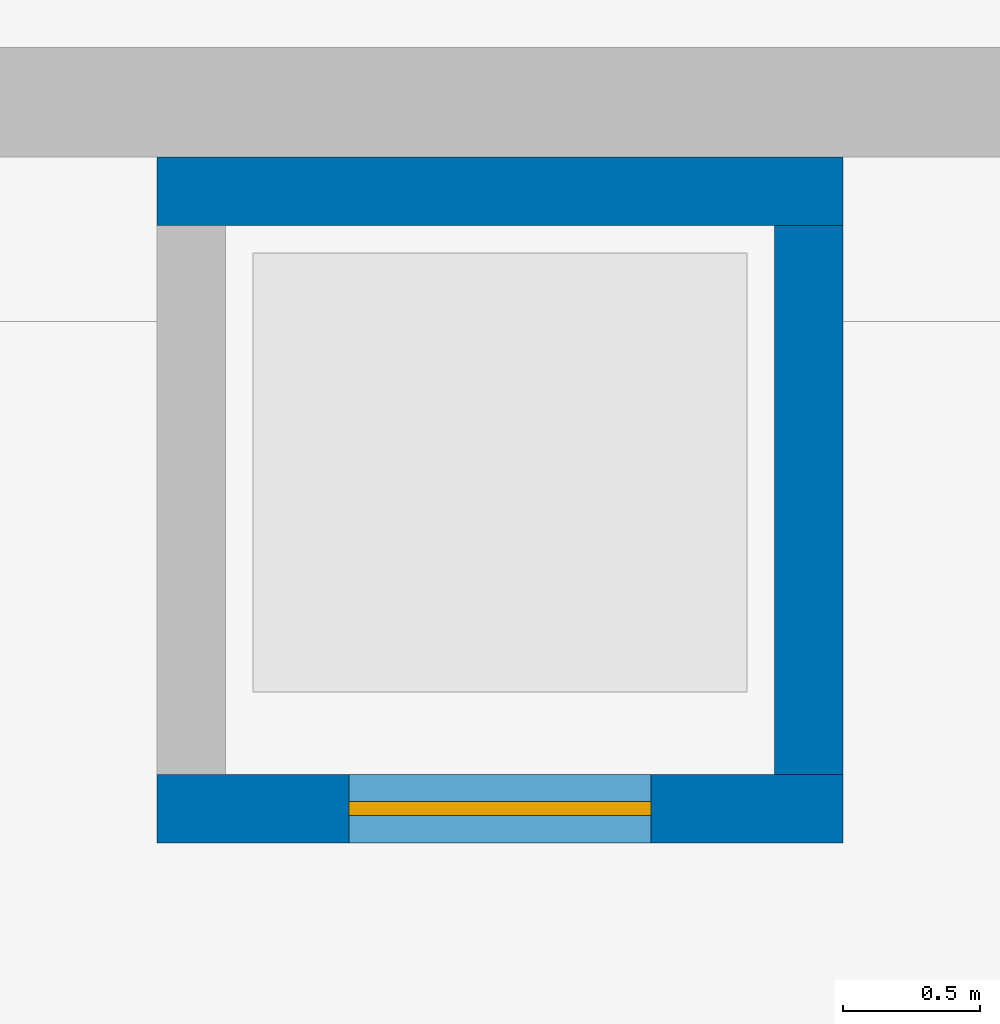
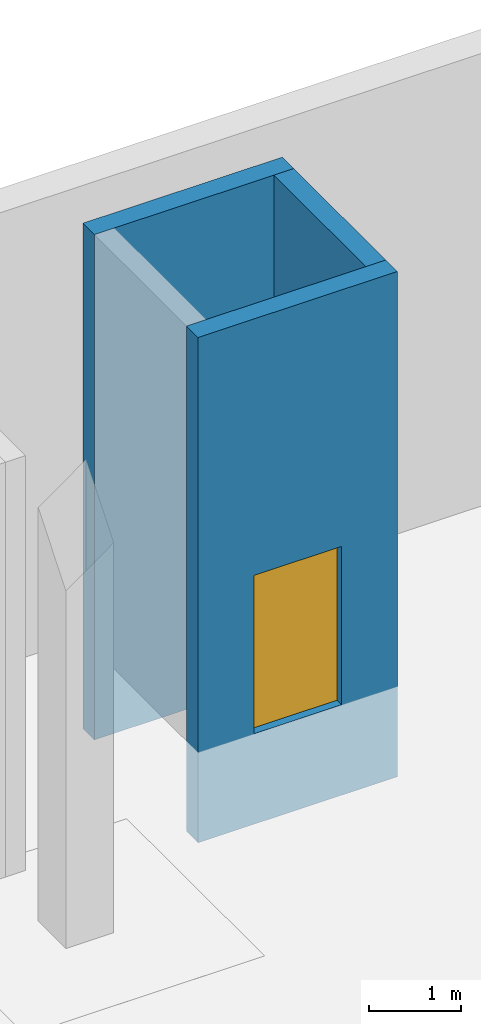
# One storey, part 17 of 39: 3 walls, 1 door, 1 opening.
"""IFC4 building model written with IfcOpenShell, lengths in metres."""

from ifc_helpers import new_model, si_unit, direction, frame, frame_2d, origin, place, context, subcontext, project, spatial, rectangle, extrude, material, layer, layer_set, type_object, element, fill, save


model = new_model("IFC4")

# Units and contexts
model_context = context("Model", 3, precision=1e-05, world=origin(), true_north=direction((0.0, 1.0)))
body_context = subcontext(model_context, "Body", "Model", "MODEL_VIEW")
ifc_project = project(units=[si_unit("LENGTHUNIT", "METRE"), si_unit("AREAUNIT", "SQUARE_METRE"), si_unit("VOLUMEUNIT", "CUBIC_METRE"), si_unit("PLANEANGLEUNIT", "RADIAN"), si_unit("MASSUNIT", "GRAM", prefix="KILO")], contexts=[model_context])

# Site, building, storey
site_placement = place(None, origin())
site = spatial("IfcSite", under=ifc_project, at=site_placement, CompositionType="ELEMENT")
building_placement = place(site_placement, origin())
building = spatial("IfcBuilding", under=site, at=building_placement, Name="Tamorin Gate", CompositionType="ELEMENT")
storey_placement = place(building_placement, frame((0.0, 0.0, -12.0)))
storey = spatial("IfcBuildingStorey", under=building, at=storey_placement, Name="B2", CompositionType="ELEMENT", Elevation=-12.0)

# Wall, opening, door
ifc_material_1 = material(Name="Concrete C40/50", Category="concrete")
ifc_layer = layer(ifc_material_1, 0.25)
ifc_layer_set = layer_set([ifc_layer], Name="Stair and lift enclosure wall 250 C40/50")
wall_type = type_object("IfcWallType", Name="Stair and lift enclosure wall 250 C40/50", PredefinedType="SHEAR", material=ifc_layer_set)
wall_1_placement = place(storey_placement, frame((141.300048828125, 48.625, -1.199951171875), z_axis=(0.0, 0.0, 1.0), x_axis=(1.0, 0.0, 0.0)))
wall_1 = element("IfcWall", 1, at=wall_1_placement, inside=storey, type_object=wall_type, Name="Lift shaft LP1", PredefinedType="SHEAR", context=body_context, shape_type="SweptSolid", body=[
    extrude(rectangle(XDim=2.5, YDim=0.25, at=frame_2d((1.25, 0.0))), origin(), (0.0, 0.0, 1.0), 6.699951171875),
])
opening_placement = place(wall_1_placement, frame((0.699951171875, 0.0, 1.199951171875)))
opening = element("IfcOpeningElement", 2, at=opening_placement, cuts=wall_1, Name="Opening LD23", PredefinedType="OPENING", context=body_context, shape_type="SweptSolid", body=[
    extrude(rectangle(XDim=1.10009765625, YDim=2.10009765625, at=frame_2d((0.550048828125, 1.050048828125))), frame((0.0, 0.135009765625, 0.0), z_axis=(0.0, -1.0, 0.0), x_axis=(1.0, 0.0, 0.0)), (0.0, 0.0, 1.0), 0.27001953125),
])
ifc_material_2 = material(Name="Stainless steel", Category="steel")
door_type = type_object("IfcDoorType", Name="Lift landing door 1100x2100", OperationType="DOUBLE_DOOR_SLIDING", PredefinedType="DOOR", material=ifc_material_2)
door_placement = place(opening_placement, origin())
door = element("IfcDoor", 3, at=door_placement, inside=storey, type_object=door_type, Name="Lift landing door", OperationType="DOUBLE_DOOR_SLIDING", OverallHeight=2.10009765625, OverallWidth=1.10009765625, PredefinedType="DOOR", context=body_context, shape_type="SweptSolid", body=[
    extrude(rectangle(XDim=1.10009765625, YDim=2.10009765625, at=frame_2d((0.550048828125, 1.050048828125))), frame((0.0, 0.02490234375, 0.0), z_axis=(0.0, -1.0, 0.0), x_axis=(1.0, 0.0, 0.0)), (0.0, 0.0, 1.0), 0.050048828125),
])
fill(opening, door)

# Walls
wall_2_placement = place(storey_placement, frame((141.300048828125, 50.875, -1.199951171875), z_axis=(0.0, 0.0, 1.0), x_axis=(1.0, 0.0, 0.0)))
element("IfcWall", 4, at=wall_2_placement, inside=storey, type_object=wall_type, Name="Lift shaft LP1", PredefinedType="SHEAR", context=body_context, shape_type="SweptSolid", body=[
    extrude(rectangle(XDim=2.5, YDim=0.25, at=frame_2d((1.25, 0.0))), origin(), (0.0, 0.0, 1.0), 6.699951171875),
])
wall_3_placement = place(storey_placement, frame((143.675048828125, 48.75, -1.199951171875), z_axis=(0.0, 0.0, 1.0), x_axis=(0.0, 1.0, 0.0)))
element("IfcWall", 5, at=wall_3_placement, inside=storey, type_object=wall_type, Name="Lift shaft LP1", PredefinedType="SHEAR", context=body_context, shape_type="SweptSolid", body=[
    extrude(rectangle(XDim=2.0, YDim=0.25, at=frame_2d((1.0, 0.0))), origin(), (0.0, 0.0, 1.0), 6.699951171875),
])

save(model, "model.ifc")
